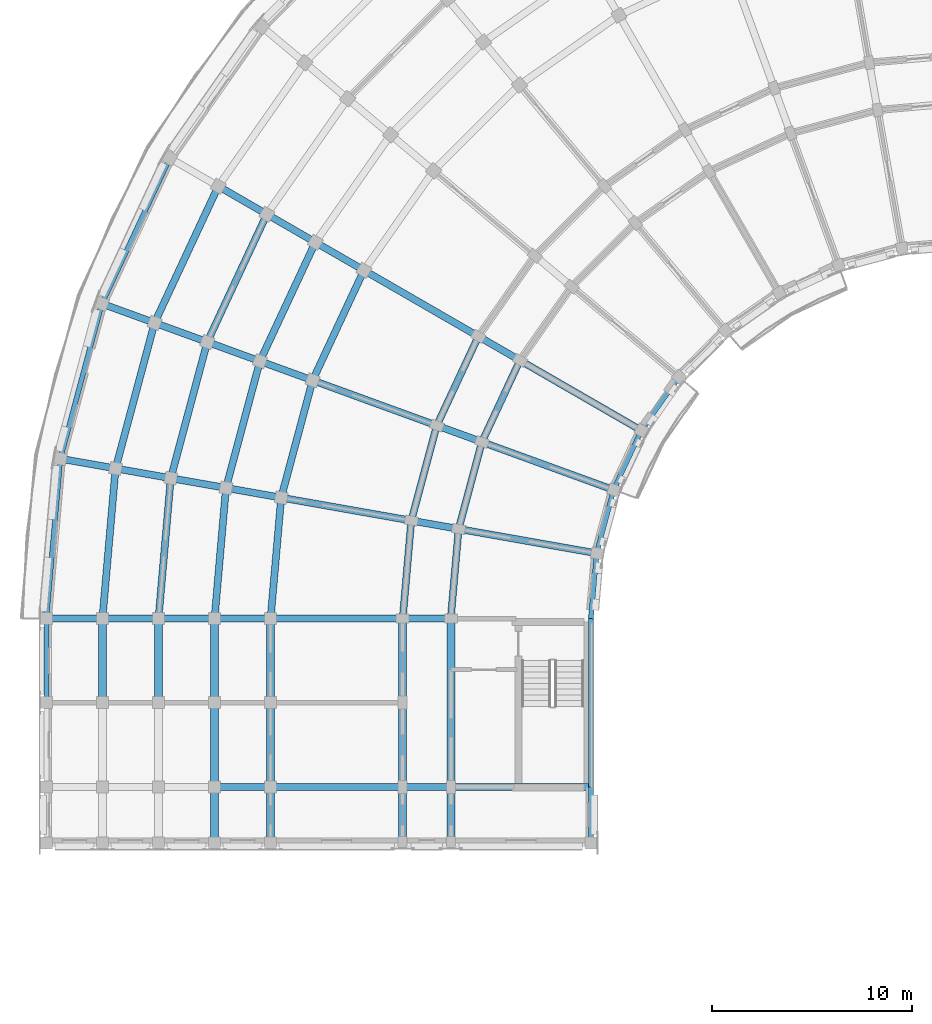
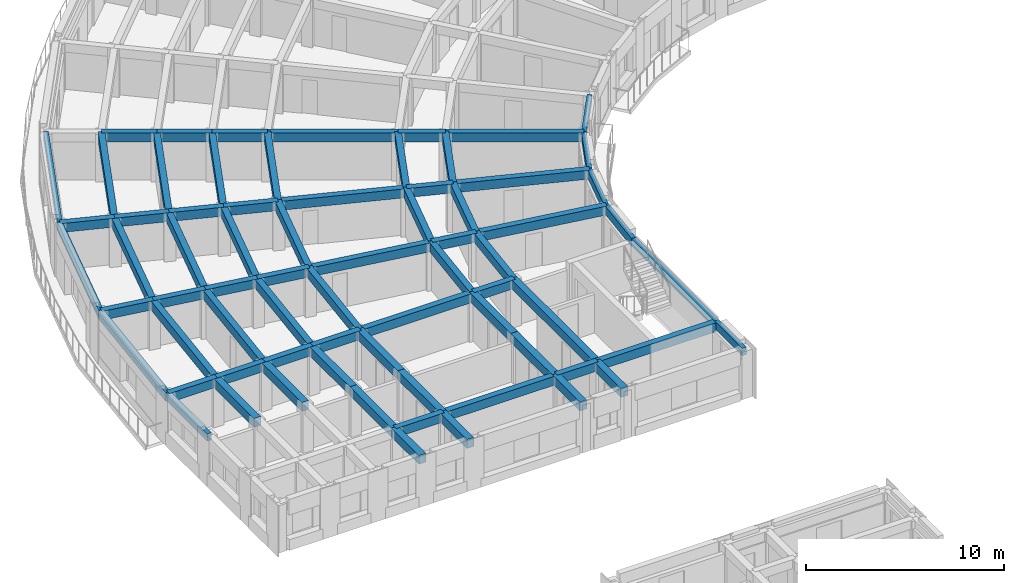
# One storey, part 5 of 53: 71 beams.
"""IFC4 building model written with IfcOpenShell, lengths in metres."""

from ifc_helpers import new_model, si_unit, direction, frame, origin, origin_2d, place, context, subcontext, project, spatial, rectangle, extrude, material, material_profile, profile_set, type_object, element, save


model = new_model("IFC4")

# Units and contexts
model_context = context("Model", 3, precision=1e-05, world=origin(), true_north=direction((0.0, 1.0)))
body_context = subcontext(model_context, "Body", "Model", "MODEL_VIEW")
ifc_project = project(units=[si_unit("LENGTHUNIT", "METRE"), si_unit("AREAUNIT", "SQUARE_METRE"), si_unit("VOLUMEUNIT", "CUBIC_METRE"), si_unit("PLANEANGLEUNIT", "RADIAN"), si_unit("MASSUNIT", "GRAM", prefix="KILO")], contexts=[model_context])

# Site, building, storey
site_placement = place(None, origin())
site = spatial("IfcSite", under=ifc_project, at=site_placement, CompositionType="ELEMENT")
building_placement = place(site_placement, origin())
building = spatial("IfcBuilding", under=site, at=building_placement, Name="Kiranvali Square Residences", CompositionType="ELEMENT")
storey_placement = place(building_placement, frame((0.0, 0.0, 30.75)))
storey = spatial("IfcBuildingStorey", under=building, at=storey_placement, Name="L09", CompositionType="ELEMENT", Elevation=30.75)

# Beams
ifc_material_1 = material(Name="Concrete M40 (40 MPa)", Category="concrete")
ifc_material_profile_1 = material_profile(ifc_material_1, rectangle(XDim=0.35009765625, YDim=0.550048828125, at=origin_2d()), Name="RC 350x550")
ifc_profile_set_1 = profile_set([ifc_material_profile_1], Name="Concrete M40 (40 MPa)")
beam_type_1 = type_object("IfcBeamType", Name="BM-M40-350x550", PredefinedType="BEAM", material=ifc_profile_set_1)
beam_1_placement = place(storey_placement, frame((25.8564453125, 100.699951171875, 2.655029296875), z_axis=(-0.422617978463, -0.906307919131, 0.0), x_axis=(0.906307919131, -0.422617978463, 0.0)))
element("IfcBeam", 1, at=beam_1_placement, inside=storey, type_object=beam_type_1, Name="L09 beam BM-A-L09-C06-R1", PredefinedType="BEAM", context=body_context, shape_type="SweptSolid", body=[
    extrude(rectangle(XDim=0.35009765625, YDim=0.550048828125, at=origin_2d()), origin(), (0.0, 0.0, 1.0), 4.497314453125),
])
beam_2_placement = place(storey_placement, frame((23.778076171875, 101.89990234375, 2.655029296875), z_axis=(-0.422629854778, -0.906302381024, 0.0), x_axis=(0.906302381024, -0.422629854778, 0.0)))
element("IfcBeam", 2, at=beam_2_placement, inside=storey, type_object=beam_type_1, Name="L09 beam BM-A-L09-C06-R2", PredefinedType="BEAM", context=body_context, shape_type="SweptSolid", body=[
    extrude(rectangle(XDim=0.35009765625, YDim=0.550048828125, at=origin_2d()), origin(), (0.0, 0.0, 1.0), 4.915283203125),
])
beam_3_placement = place(storey_placement, frame((18.062255859375, 105.199951171875, 2.655029296875), z_axis=(-0.42260781991, -0.906312656069, 0.0), x_axis=(0.906312656069, -0.42260781991, 0.0)))
element("IfcBeam", 3, at=beam_3_placement, inside=storey, type_object=beam_type_1, Name="L09 beam BM-A-L09-C06-R3", PredefinedType="BEAM", context=body_context, shape_type="SweptSolid", body=[
    extrude(rectangle(XDim=0.35009765625, YDim=0.550048828125, at=origin_2d()), origin(), (0.0, 0.0, 1.0), 6.06591796875),
])
beam_4_placement = place(storey_placement, frame((15.637451171875, 106.60009765625, 2.655029296875), z_axis=(-0.422595876255, -0.906318225223, 0.0), x_axis=(0.906318225223, -0.422595876255, 0.0)))
element("IfcBeam", 4, at=beam_4_placement, inside=storey, type_object=beam_type_1, Name="L09 beam BM-A-L09-C06-R4", PredefinedType="BEAM", context=body_context, shape_type="SweptSolid", body=[
    extrude(rectangle(XDim=0.35009765625, YDim=0.550048828125, at=origin_2d()), origin(), (0.0, 0.0, 1.0), 6.55419921875),
])
beam_5_placement = place(storey_placement, frame((13.212646484375, 108.0, 2.655029296875), z_axis=(-0.422640621205, -0.906297360311, 0.0), x_axis=(0.906297360311, -0.422640621205, 0.0)))
element("IfcBeam", 5, at=beam_5_placement, inside=storey, type_object=beam_type_1, Name="L09 beam BM-A-L09-C06-R5", PredefinedType="BEAM", context=body_context, shape_type="SweptSolid", body=[
    extrude(rectangle(XDim=0.35009765625, YDim=0.550048828125, at=origin_2d()), origin(), (0.0, 0.0, 1.0), 7.042236328125),
])
beam_6_placement = place(storey_placement, frame((10.78759765625, 109.39990234375, 2.655029296875), z_axis=(-0.422613886933, -0.90630982703, 0.0), x_axis=(0.90630982703, -0.422613886933, 0.0)))
element("IfcBeam", 6, at=beam_6_placement, inside=storey, type_object=beam_type_1, Name="L09 beam BM-A-L09-C06-R6", PredefinedType="BEAM", context=body_context, shape_type="SweptSolid", body=[
    extrude(rectangle(XDim=0.35009765625, YDim=0.550048828125, at=origin_2d()), origin(), (0.0, 0.0, 1.0), 7.5302734375),
])
beam_7_placement = place(storey_placement, frame((23.955810546875, 96.6240234375, 2.655029296875), z_axis=(-0.258787642463, -0.965934240054, 0.0), x_axis=(0.965934240054, -0.258787642463, 0.0)))
element("IfcBeam", 7, at=beam_7_placement, inside=storey, type_object=beam_type_1, Name="L09 beam BM-A-L09-C07-R1", PredefinedType="BEAM", context=body_context, shape_type="SweptSolid", body=[
    extrude(rectangle(XDim=0.35009765625, YDim=0.550048828125, at=origin_2d()), origin(), (0.0, 0.0, 1.0), 4.497314453125),
])
beam_8_placement = place(storey_placement, frame((21.70068359375, 97.445068359375, 2.655029296875), z_axis=(-0.258803112091, -0.965930095386, 0.0), x_axis=(0.965930095386, -0.258803112091, 0.0)))
element("IfcBeam", 8, at=beam_8_placement, inside=storey, type_object=beam_type_1, Name="L09 beam BM-A-L09-C07-R2", PredefinedType="BEAM", context=body_context, shape_type="SweptSolid", body=[
    extrude(rectangle(XDim=0.35009765625, YDim=0.550048828125, at=origin_2d()), origin(), (0.0, 0.0, 1.0), 4.915771484375),
])
beam_9_placement = place(storey_placement, frame((15.498779296875, 99.702392578125, 2.655029296875), z_axis=(-0.258827283048, -0.965923618901, 0.0), x_axis=(0.965923618901, -0.258827283048, 0.0)))
element("IfcBeam", 9, at=beam_9_placement, inside=storey, type_object=beam_type_1, Name="L09 beam BM-A-L09-C07-R3", PredefinedType="BEAM", context=body_context, shape_type="SweptSolid", body=[
    extrude(rectangle(XDim=0.35009765625, YDim=0.550048828125, at=origin_2d()), origin(), (0.0, 0.0, 1.0), 6.066162109375),
])
beam_10_placement = place(storey_placement, frame((12.86767578125, 100.659912109375, 2.655029296875), z_axis=(-0.258847178297, -0.965918287583, 0.0), x_axis=(0.965918287583, -0.258847178297, 0.0)))
element("IfcBeam", 10, at=beam_10_placement, inside=storey, type_object=beam_type_1, Name="L09 beam BM-A-L09-C07-R4", PredefinedType="BEAM", context=body_context, shape_type="SweptSolid", body=[
    extrude(rectangle(XDim=0.35009765625, YDim=0.550048828125, at=origin_2d()), origin(), (0.0, 0.0, 1.0), 6.55419921875),
])
beam_11_placement = place(storey_placement, frame((10.236328125, 101.61767578125, 2.655029296875), z_axis=(-0.258799624492, -0.965931029817, 0.0), x_axis=(0.965931029817, -0.258799624492, 0.0)))
element("IfcBeam", 11, at=beam_11_placement, inside=storey, type_object=beam_type_1, Name="L09 beam BM-A-L09-C07-R5", PredefinedType="BEAM", context=body_context, shape_type="SweptSolid", body=[
    extrude(rectangle(XDim=0.35009765625, YDim=0.550048828125, at=origin_2d()), origin(), (0.0, 0.0, 1.0), 7.042236328125),
])
beam_12_placement = place(storey_placement, frame((7.605224609375, 102.5751953125, 2.655029296875), z_axis=(-0.258818733833, -0.965925909693, 0.0), x_axis=(0.965925909693, -0.258818733833, 0.0)))
element("IfcBeam", 12, at=beam_12_placement, inside=storey, type_object=beam_type_1, Name="L09 beam BM-A-L09-C07-R6", PredefinedType="BEAM", context=body_context, shape_type="SweptSolid", body=[
    extrude(rectangle(XDim=0.35009765625, YDim=0.550048828125, at=origin_2d()), origin(), (0.0, 0.0, 1.0), 7.5302734375),
])
beam_13_placement = place(storey_placement, frame((22.7919921875, 92.280029296875, 2.655029296875), z_axis=(-0.087187153726, -0.996191949488, 0.0), x_axis=(0.996191949488, -0.087187153726, 0.0)))
element("IfcBeam", 13, at=beam_13_placement, inside=storey, type_object=beam_type_1, Name="L09 beam BM-A-L09-C08-R1", PredefinedType="BEAM", context=body_context, shape_type="SweptSolid", body=[
    extrude(rectangle(XDim=0.35009765625, YDim=0.550048828125, at=origin_2d()), origin(), (0.0, 0.0, 1.0), 4.4970703125),
])
beam_14_placement = place(storey_placement, frame((20.428466796875, 92.69677734375, 2.655029296875), z_axis=(-0.087167566415, -0.996193663584, 0.0), x_axis=(0.996193663584, -0.087167566415, 0.0)))
element("IfcBeam", 14, at=beam_14_placement, inside=storey, type_object=beam_type_1, Name="L09 beam BM-A-L09-C08-R2", PredefinedType="BEAM", context=body_context, shape_type="SweptSolid", body=[
    extrude(rectangle(XDim=0.35009765625, YDim=0.550048828125, at=origin_2d()), origin(), (0.0, 0.0, 1.0), 4.91552734375),
])
beam_15_placement = place(storey_placement, frame((13.9287109375, 93.843017578125, 2.655029296875), z_axis=(-0.087174938512, -0.996193018494, 0.0), x_axis=(0.996193018494, -0.087174938512, 0.0)))
element("IfcBeam", 15, at=beam_15_placement, inside=storey, type_object=beam_type_1, Name="L09 beam BM-A-L09-C08-R3", PredefinedType="BEAM", context=body_context, shape_type="SweptSolid", body=[
    extrude(rectangle(XDim=0.35009765625, YDim=0.550048828125, at=origin_2d()), origin(), (0.0, 0.0, 1.0), 6.066162109375),
])
beam_16_placement = place(storey_placement, frame((11.171142578125, 94.3291015625, 2.655029296875), z_axis=(-0.0871295204, -0.996196991902, 0.0), x_axis=(0.996196991902, -0.0871295204, 0.0)))
element("IfcBeam", 16, at=beam_16_placement, inside=storey, type_object=beam_type_1, Name="L09 beam BM-A-L09-C08-R4", PredefinedType="BEAM", context=body_context, shape_type="SweptSolid", body=[
    extrude(rectangle(XDim=0.35009765625, YDim=0.550048828125, at=origin_2d()), origin(), (0.0, 0.0, 1.0), 6.553955078125),
])
beam_17_placement = place(storey_placement, frame((8.413818359375, 94.8154296875, 2.655029296875), z_axis=(-0.087156198737, -0.996194658198, 0.0), x_axis=(0.996194658198, -0.087156198737, 0.0)))
element("IfcBeam", 17, at=beam_17_placement, inside=storey, type_object=beam_type_1, Name="L09 beam BM-A-L09-C08-R5", PredefinedType="BEAM", context=body_context, shape_type="SweptSolid", body=[
    extrude(rectangle(XDim=0.35009765625, YDim=0.550048828125, at=origin_2d()), origin(), (0.0, 0.0, 1.0), 7.042236328125),
])
beam_18_placement = place(storey_placement, frame((5.65625, 95.301513671875, 2.655029296875), z_axis=(-0.087150058103, -0.996195195417, 0.0), x_axis=(0.996195195417, -0.087150058103, 0.0)))
element("IfcBeam", 18, at=beam_18_placement, inside=storey, type_object=beam_type_1, Name="L09 beam BM-A-L09-C08-R6", PredefinedType="BEAM", context=body_context, shape_type="SweptSolid", body=[
    extrude(rectangle(XDim=0.35009765625, YDim=0.550048828125, at=origin_2d()), origin(), (0.0, 0.0, 1.0), 7.530029296875),
])
beam_19_placement = place(storey_placement, frame((31.918701171875, 97.199951171875, 2.655029296875), z_axis=(-0.866028190633, 0.499995173006, 0.0), x_axis=(-0.499995173006, -0.866028190633, 0.0)))
element("IfcBeam", 19, at=beam_19_placement, inside=storey, type_object=beam_type_1, Name="L09 beam BM-A-L09-RAD06-01", PredefinedType="BEAM", context=body_context, shape_type="SweptSolid", body=[
    extrude(rectangle(XDim=0.35009765625, YDim=0.550048828125, at=origin_2d()), origin(), (0.0, 0.0, 1.0), 7.0),
])
beam_20_placement = place(storey_placement, frame((25.8564453125, 100.699951171875, 2.655029296875), z_axis=(-0.866024647952, 0.500001309137, 0.0), x_axis=(-0.500001309137, -0.866024647952, 0.0)))
element("IfcBeam", 20, at=beam_20_placement, inside=storey, type_object=beam_type_1, Name="L09 beam BM-A-L09-RAD06-12", PredefinedType="BEAM", context=body_context, shape_type="SweptSolid", body=[
    extrude(rectangle(XDim=0.35009765625, YDim=0.550048828125, at=origin_2d()), origin(), (0.0, 0.0, 1.0), 2.39990234375),
])
beam_21_placement = place(storey_placement, frame((23.778076171875, 101.89990234375, 2.655029296875), z_axis=(-0.866024194504, 0.500002094529, 0.0), x_axis=(-0.500002094529, -0.866024194504, 0.0)))
element("IfcBeam", 21, at=beam_21_placement, inside=storey, type_object=beam_type_1, Name="L09 beam BM-A-L09-RAD06-23", PredefinedType="BEAM", context=body_context, shape_type="SweptSolid", body=[
    extrude(rectangle(XDim=0.35009765625, YDim=0.550048828125, at=origin_2d()), origin(), (0.0, 0.0, 1.0), 6.60009765625),
])
beam_22_placement = place(storey_placement, frame((18.062255859375, 105.199951171875, 2.655029296875), z_axis=(-0.865996816683, 0.500049511043, 0.0), x_axis=(-0.500049511043, -0.865996816683, 0.0)))
element("IfcBeam", 22, at=beam_22_placement, inside=storey, type_object=beam_type_1, Name="L09 beam BM-A-L09-RAD06-34", PredefinedType="BEAM", context=body_context, shape_type="SweptSolid", body=[
    extrude(rectangle(XDim=0.35009765625, YDim=0.550048828125, at=origin_2d()), origin(), (0.0, 0.0, 1.0), 2.800048828125),
])
beam_23_placement = place(storey_placement, frame((15.637451171875, 106.60009765625, 2.655029296875), z_axis=(-0.866034573852, 0.49998411664, 0.0), x_axis=(-0.49998411664, -0.866034573852, 0.0)))
element("IfcBeam", 23, at=beam_23_placement, inside=storey, type_object=beam_type_1, Name="L09 beam BM-A-L09-RAD06-45", PredefinedType="BEAM", context=body_context, shape_type="SweptSolid", body=[
    extrude(rectangle(XDim=0.35009765625, YDim=0.550048828125, at=origin_2d()), origin(), (0.0, 0.0, 1.0), 2.7998046875),
])
beam_24_placement = place(storey_placement, frame((13.212646484375, 108.0, 2.655029296875), z_axis=(-0.866056369097, 0.49994636267, 0.0), x_axis=(-0.49994636267, -0.866056369097, 0.0)))
element("IfcBeam", 24, at=beam_24_placement, inside=storey, type_object=beam_type_1, Name="L09 beam BM-A-L09-RAD06-56", PredefinedType="BEAM", context=body_context, shape_type="SweptSolid", body=[
    extrude(rectangle(XDim=0.35009765625, YDim=0.550048828125, at=origin_2d()), origin(), (0.0, 0.0, 1.0), 2.800048828125),
])
beam_25_placement = place(storey_placement, frame((30.53369140625, 94.22998046875, 2.655029296875), z_axis=(-0.939697665127, 0.342006283793, 0.0), x_axis=(-0.342006283793, -0.939697665127, 0.0)))
element("IfcBeam", 25, at=beam_25_placement, inside=storey, type_object=beam_type_1, Name="L09 beam BM-A-L09-RAD07-01", PredefinedType="BEAM", context=body_context, shape_type="SweptSolid", body=[
    extrude(rectangle(XDim=0.35009765625, YDim=0.550048828125, at=origin_2d()), origin(), (0.0, 0.0, 1.0), 7.0),
])
beam_26_placement = place(storey_placement, frame((23.955810546875, 96.6240234375, 2.655029296875), z_axis=(-0.939659694648, 0.342110593602, 0.0), x_axis=(-0.342110593602, -0.939659694648, 0.0)))
element("IfcBeam", 26, at=beam_26_placement, inside=storey, type_object=beam_type_1, Name="L09 beam BM-A-L09-RAD07-12", PredefinedType="BEAM", context=body_context, shape_type="SweptSolid", body=[
    extrude(rectangle(XDim=0.35009765625, YDim=0.550048828125, at=origin_2d()), origin(), (0.0, 0.0, 1.0), 2.39990234375),
])
beam_27_placement = place(storey_placement, frame((21.70068359375, 97.445068359375, 2.655029296875), z_axis=(-0.939691858249, 0.342022238372, 0.0), x_axis=(-0.342022238372, -0.939691858249, 0.0)))
element("IfcBeam", 27, at=beam_27_placement, inside=storey, type_object=beam_type_1, Name="L09 beam BM-A-L09-RAD07-23", PredefinedType="BEAM", context=body_context, shape_type="SweptSolid", body=[
    extrude(rectangle(XDim=0.35009765625, YDim=0.550048828125, at=origin_2d()), origin(), (0.0, 0.0, 1.0), 6.599853515625),
])
beam_28_placement = place(storey_placement, frame((15.498779296875, 99.702392578125, 2.655029296875), z_axis=(-0.93970683422, 0.341981089711, 0.0), x_axis=(-0.341981089711, -0.93970683422, 0.0)))
element("IfcBeam", 28, at=beam_28_placement, inside=storey, type_object=beam_type_1, Name="L09 beam BM-A-L09-RAD07-34", PredefinedType="BEAM", context=body_context, shape_type="SweptSolid", body=[
    extrude(rectangle(XDim=0.35009765625, YDim=0.550048828125, at=origin_2d()), origin(), (0.0, 0.0, 1.0), 2.7998046875),
])
beam_29_placement = place(storey_placement, frame((12.86767578125, 100.659912109375, 2.655029296875), z_axis=(-0.939689011208, 0.342030060398, 0.0), x_axis=(-0.342030060398, -0.939689011208, 0.0)))
element("IfcBeam", 29, at=beam_29_placement, inside=storey, type_object=beam_type_1, Name="L09 beam BM-A-L09-RAD07-45", PredefinedType="BEAM", context=body_context, shape_type="SweptSolid", body=[
    extrude(rectangle(XDim=0.35009765625, YDim=0.550048828125, at=origin_2d()), origin(), (0.0, 0.0, 1.0), 2.80029296875),
])
beam_30_placement = place(storey_placement, frame((10.236328125, 101.61767578125, 2.655029296875), z_axis=(-0.93970683422, 0.341981089711, 0.0), x_axis=(-0.341981089711, -0.93970683422, 0.0)))
element("IfcBeam", 30, at=beam_30_placement, inside=storey, type_object=beam_type_1, Name="L09 beam BM-A-L09-RAD07-56", PredefinedType="BEAM", context=body_context, shape_type="SweptSolid", body=[
    extrude(rectangle(XDim=0.35009765625, YDim=0.550048828125, at=origin_2d()), origin(), (0.0, 0.0, 1.0), 2.7998046875),
])
beam_31_placement = place(storey_placement, frame((7.605224609375, 102.5751953125, 2.655029296875), z_axis=(-0.939678810556, 0.342058084236, 0.0), x_axis=(-0.342058084236, -0.939678810556, 0.0)))
element("IfcBeam", 31, at=beam_31_placement, inside=storey, type_object=beam_type_1, Name="L09 beam BM-A-L09-RAD07-67", PredefinedType="BEAM", context=body_context, shape_type="SweptSolid", body=[
    extrude(rectangle(XDim=0.35009765625, YDim=0.550048828125, at=origin_2d()), origin(), (0.0, 0.0, 1.0), 2.800048828125),
])
beam_32_placement = place(storey_placement, frame((29.685546875, 91.064697265625, 2.655029296875), z_axis=(-0.984812337125, 0.173622177865, 0.0), x_axis=(-0.173622177865, -0.984812337125, 0.0)))
element("IfcBeam", 32, at=beam_32_placement, inside=storey, type_object=beam_type_1, Name="L09 beam BM-A-L09-RAD08-01", PredefinedType="BEAM", context=body_context, shape_type="SweptSolid", body=[
    extrude(rectangle(XDim=0.35009765625, YDim=0.550048828125, at=origin_2d()), origin(), (0.0, 0.0, 1.0), 6.999755859375),
])
beam_33_placement = place(storey_placement, frame((22.7919921875, 92.280029296875, 2.655029296875), z_axis=(-0.984808127031, 0.173646056486, 0.0), x_axis=(-0.173646056486, -0.984808127031, 0.0)))
element("IfcBeam", 33, at=beam_33_placement, inside=storey, type_object=beam_type_1, Name="L09 beam BM-A-L09-RAD08-12", PredefinedType="BEAM", context=body_context, shape_type="SweptSolid", body=[
    extrude(rectangle(XDim=0.35009765625, YDim=0.550048828125, at=origin_2d()), origin(), (0.0, 0.0, 1.0), 2.39990234375),
])
beam_34_placement = place(storey_placement, frame((20.428466796875, 92.69677734375, 2.655029296875), z_axis=(-0.984803661269, 0.173671381499, 0.0), x_axis=(-0.173671381499, -0.984803661269, 0.0)))
element("IfcBeam", 34, at=beam_34_placement, inside=storey, type_object=beam_type_1, Name="L09 beam BM-A-L09-RAD08-23", PredefinedType="BEAM", context=body_context, shape_type="SweptSolid", body=[
    extrude(rectangle(XDim=0.35009765625, YDim=0.550048828125, at=origin_2d()), origin(), (0.0, 0.0, 1.0), 6.60009765625),
])
beam_35_placement = place(storey_placement, frame((13.9287109375, 93.843017578125, 2.655029296875), z_axis=(-0.984816895441, 0.173596320392, 0.0), x_axis=(-0.173596320392, -0.984816895441, 0.0)))
element("IfcBeam", 35, at=beam_35_placement, inside=storey, type_object=beam_type_1, Name="L09 beam BM-A-L09-RAD08-34", PredefinedType="BEAM", context=body_context, shape_type="SweptSolid", body=[
    extrude(rectangle(XDim=0.35009765625, YDim=0.550048828125, at=origin_2d()), origin(), (0.0, 0.0, 1.0), 2.800048828125),
])
beam_36_placement = place(storey_placement, frame((11.171142578125, 94.3291015625, 2.655029296875), z_axis=(-0.984799355489, 0.173695795656, 0.0), x_axis=(-0.173695795656, -0.984799355489, 0.0)))
element("IfcBeam", 36, at=beam_36_placement, inside=storey, type_object=beam_type_1, Name="L09 beam BM-A-L09-RAD08-45", PredefinedType="BEAM", context=body_context, shape_type="SweptSolid", body=[
    extrude(rectangle(XDim=0.35009765625, YDim=0.550048828125, at=origin_2d()), origin(), (0.0, 0.0, 1.0), 2.7998046875),
])
beam_37_placement = place(storey_placement, frame((8.413818359375, 94.8154296875, 2.655029296875), z_axis=(-0.984816895441, 0.173596320392, 0.0), x_axis=(-0.173596320392, -0.984816895441, 0.0)))
element("IfcBeam", 37, at=beam_37_placement, inside=storey, type_object=beam_type_1, Name="L09 beam BM-A-L09-RAD08-56", PredefinedType="BEAM", context=body_context, shape_type="SweptSolid", body=[
    extrude(rectangle(XDim=0.35009765625, YDim=0.550048828125, at=origin_2d()), origin(), (0.0, 0.0, 1.0), 2.800048828125),
])
beam_38_placement = place(storey_placement, frame((5.65625, 95.301513671875, 2.655029296875), z_axis=(-0.984799355489, 0.173695795656, 0.0), x_axis=(-0.173695795656, -0.984799355489, 0.0)))
element("IfcBeam", 38, at=beam_38_placement, inside=storey, type_object=beam_type_1, Name="L09 beam BM-A-L09-RAD08-67", PredefinedType="BEAM", context=body_context, shape_type="SweptSolid", body=[
    extrude(rectangle(XDim=0.35009765625, YDim=0.550048828125, at=origin_2d()), origin(), (0.0, 0.0, 1.0), 2.7998046875),
])
beam_39_placement = place(storey_placement, frame((22.39990234375, 87.800048828125, 2.655029296875), z_axis=(-1.0, 0.0, 0.0), x_axis=(0.0, -1.0, 0.0)))
element("IfcBeam", 39, at=beam_39_placement, inside=storey, type_object=beam_type_1, Name="L09 beam BM-A-L09-A2T0-12", PredefinedType="BEAM", context=body_context, shape_type="SweptSolid", body=[
    extrude(rectangle(XDim=0.35009765625, YDim=0.550048828125, at=origin_2d()), origin(), (0.0, 0.0, 1.0), 2.39990234375),
])
beam_40_placement = place(storey_placement, frame((20.0, 87.800048828125, 2.655029296875), z_axis=(-1.0, 0.0, 0.0), x_axis=(0.0, -1.0, 0.0)))
element("IfcBeam", 40, at=beam_40_placement, inside=storey, type_object=beam_type_1, Name="L09 beam BM-A-L09-A2T0-23", PredefinedType="BEAM", context=body_context, shape_type="SweptSolid", body=[
    extrude(rectangle(XDim=0.35009765625, YDim=0.550048828125, at=origin_2d()), origin(), (0.0, 0.0, 1.0), 6.60009765625),
])
beam_41_placement = place(storey_placement, frame((13.39990234375, 87.800048828125, 2.655029296875), z_axis=(-1.0, 0.0, 0.0), x_axis=(0.0, -1.0, 0.0)))
element("IfcBeam", 41, at=beam_41_placement, inside=storey, type_object=beam_type_1, Name="L09 beam BM-A-L09-A2T0-34", PredefinedType="BEAM", context=body_context, shape_type="SweptSolid", body=[
    extrude(rectangle(XDim=0.35009765625, YDim=0.550048828125, at=origin_2d()), origin(), (0.0, 0.0, 1.0), 2.7998046875),
])
for number, where, z_axis, x_axis, name in (
    (42, (10.60009765625, 87.800048828125, 2.655029296875), (-1.0, 0.0, 0.0), (0.0, -1.0, 0.0), "L09 beam BM-A-L09-A2T0-45"),
    (43, (7.800048828125, 87.800048828125, 2.655029296875), (-1.0, 0.0, 0.0), (0.0, -1.0, 0.0), "L09 beam BM-A-L09-A2T0-56"),
    (44, (5.0, 87.800048828125, 2.655029296875), (-1.0, 0.0, 0.0), (0.0, -1.0, 0.0), "L09 beam BM-A-L09-A2T0-67"),
):
    element("IfcBeam", number, at=place(storey_placement, frame(where, z_axis=z_axis, x_axis=x_axis)), inside=storey, type_object=beam_type_1, Name=name, PredefinedType="BEAM", context=body_context, shape_type="SweptSolid", body=[
        extrude(rectangle(XDim=0.35009765625, YDim=0.550048828125, at=origin_2d()), origin(), (0.0, 0.0, 1.0), 2.800048828125),
    ])
beam_42_placement = place(storey_placement, frame((29.39990234375, 79.39990234375, 2.655029296875), z_axis=(-1.0, 0.0, 0.0), x_axis=(0.0, -1.0, 0.0)))
element("IfcBeam", 45, at=beam_42_placement, inside=storey, type_object=beam_type_1, Name="L09 beam BM-A-L09-A2T1-01", PredefinedType="BEAM", context=body_context, shape_type="SweptSolid", body=[
    extrude(rectangle(XDim=0.35009765625, YDim=0.550048828125, at=origin_2d()), origin(), (0.0, 0.0, 1.0), 7.0),
])
beam_43_placement = place(storey_placement, frame((22.39990234375, 79.39990234375, 2.655029296875), z_axis=(-1.0, 0.0, 0.0), x_axis=(0.0, -1.0, 0.0)))
element("IfcBeam", 46, at=beam_43_placement, inside=storey, type_object=beam_type_1, Name="L09 beam BM-A-L09-A2T1-12", PredefinedType="BEAM", context=body_context, shape_type="SweptSolid", body=[
    extrude(rectangle(XDim=0.35009765625, YDim=0.550048828125, at=origin_2d()), origin(), (0.0, 0.0, 1.0), 2.39990234375),
])
beam_44_placement = place(storey_placement, frame((20.0, 79.39990234375, 2.655029296875), z_axis=(-1.0, 0.0, 0.0), x_axis=(0.0, -1.0, 0.0)))
element("IfcBeam", 47, at=beam_44_placement, inside=storey, type_object=beam_type_1, Name="L09 beam BM-A-L09-A2T1-23", PredefinedType="BEAM", context=body_context, shape_type="SweptSolid", body=[
    extrude(rectangle(XDim=0.35009765625, YDim=0.550048828125, at=origin_2d()), origin(), (0.0, 0.0, 1.0), 6.60009765625),
])
beam_45_placement = place(storey_placement, frame((13.39990234375, 79.39990234375, 2.655029296875), z_axis=(-1.0, 0.0, 0.0), x_axis=(0.0, -1.0, 0.0)))
element("IfcBeam", 48, at=beam_45_placement, inside=storey, type_object=beam_type_1, Name="L09 beam BM-A-L09-A2T1-34", PredefinedType="BEAM", context=body_context, shape_type="SweptSolid", body=[
    extrude(rectangle(XDim=0.35009765625, YDim=0.550048828125, at=origin_2d()), origin(), (0.0, 0.0, 1.0), 2.7998046875),
])
ifc_material_2 = material(Name="Concrete M45 (45 MPa)", Category="concrete")
ifc_material_profile_2 = material_profile(ifc_material_2, rectangle(XDim=0.39990234375, YDim=0.550048828125, at=origin_2d()), Name="RC 400x550")
ifc_profile_set_2 = profile_set([ifc_material_profile_2], Name="Concrete M45 (45 MPa)")
beam_type_2 = type_object("IfcBeamType", Name="BM-M45-400x550", PredefinedType="BEAM", material=ifc_profile_set_2)
beam_46_placement = place(storey_placement, frame((22.39990234375, 87.800048828125, 2.655029296875), z_axis=(0.0, -1.0, 0.0), x_axis=(1.0, 0.0, 0.0)))
element("IfcBeam", 49, at=beam_46_placement, inside=storey, type_object=beam_type_2, Name="L09 beam BM-A-L09-A2V0-R1", PredefinedType="BEAM", context=body_context, shape_type="SweptSolid", body=[
    extrude(rectangle(XDim=0.39990234375, YDim=0.550048828125, at=origin_2d()), origin(), (0.0, 0.0, 1.0), 8.400146484375),
])
beam_47_placement = place(storey_placement, frame((22.39990234375, 79.39990234375, 2.655029296875), z_axis=(0.0, -1.0, 0.0), x_axis=(1.0, 0.0, 0.0)))
element("IfcBeam", 50, at=beam_47_placement, inside=storey, type_object=beam_type_2, Name="L09 beam BM-A-L09-A2V1-R1", PredefinedType="BEAM", context=body_context, shape_type="SweptSolid", body=[
    extrude(rectangle(XDim=0.39990234375, YDim=0.550048828125, at=origin_2d()), origin(), (0.0, 0.0, 1.0), 2.7998046875),
])
beam_48_placement = place(storey_placement, frame((20.0, 87.800048828125, 2.655029296875), z_axis=(0.0, -1.0, 0.0), x_axis=(1.0, 0.0, 0.0)))
element("IfcBeam", 51, at=beam_48_placement, inside=storey, type_object=beam_type_2, Name="L09 beam BM-A-L09-A2V0-R2", PredefinedType="BEAM", context=body_context, shape_type="SweptSolid", body=[
    extrude(rectangle(XDim=0.39990234375, YDim=0.550048828125, at=origin_2d()), origin(), (0.0, 0.0, 1.0), 4.199951171875),
])
beam_49_placement = place(storey_placement, frame((20.0, 83.60009765625, 2.655029296875), z_axis=(0.0, -1.0, 0.0), x_axis=(1.0, 0.0, 0.0)))
element("IfcBeam", 52, at=beam_49_placement, inside=storey, type_object=beam_type_2, Name="L09 beam BM-A-L09-A2V1-R2", PredefinedType="BEAM", context=body_context, shape_type="SweptSolid", body=[
    extrude(rectangle(XDim=0.39990234375, YDim=0.550048828125, at=origin_2d()), origin(), (0.0, 0.0, 1.0), 4.2001953125),
])
beam_50_placement = place(storey_placement, frame((20.0, 79.39990234375, 2.655029296875), z_axis=(0.0, -1.0, 0.0), x_axis=(1.0, 0.0, 0.0)))
element("IfcBeam", 53, at=beam_50_placement, inside=storey, type_object=beam_type_2, Name="L09 beam BM-A-L09-A2V2-R2", PredefinedType="BEAM", context=body_context, shape_type="SweptSolid", body=[
    extrude(rectangle(XDim=0.39990234375, YDim=0.550048828125, at=origin_2d()), origin(), (0.0, 0.0, 1.0), 2.7998046875),
])
beam_51_placement = place(storey_placement, frame((13.39990234375, 87.800048828125, 2.655029296875), z_axis=(0.0, -1.0, 0.0), x_axis=(1.0, 0.0, 0.0)))
element("IfcBeam", 54, at=beam_51_placement, inside=storey, type_object=beam_type_2, Name="L09 beam BM-A-L09-A2V0-R3", PredefinedType="BEAM", context=body_context, shape_type="SweptSolid", body=[
    extrude(rectangle(XDim=0.39990234375, YDim=0.550048828125, at=origin_2d()), origin(), (0.0, 0.0, 1.0), 4.199951171875),
])
beam_52_placement = place(storey_placement, frame((13.39990234375, 83.60009765625, 2.655029296875), z_axis=(0.0, -1.0, 0.0), x_axis=(1.0, 0.0, 0.0)))
element("IfcBeam", 55, at=beam_52_placement, inside=storey, type_object=beam_type_2, Name="L09 beam BM-A-L09-A2V1-R3", PredefinedType="BEAM", context=body_context, shape_type="SweptSolid", body=[
    extrude(rectangle(XDim=0.39990234375, YDim=0.550048828125, at=origin_2d()), origin(), (0.0, 0.0, 1.0), 4.2001953125),
])
beam_53_placement = place(storey_placement, frame((13.39990234375, 79.39990234375, 2.655029296875), z_axis=(0.0, -1.0, 0.0), x_axis=(1.0, 0.0, 0.0)))
element("IfcBeam", 56, at=beam_53_placement, inside=storey, type_object=beam_type_2, Name="L09 beam BM-A-L09-A2V2-R3", PredefinedType="BEAM", context=body_context, shape_type="SweptSolid", body=[
    extrude(rectangle(XDim=0.39990234375, YDim=0.550048828125, at=origin_2d()), origin(), (0.0, 0.0, 1.0), 2.7998046875),
])
beam_54_placement = place(storey_placement, frame((10.60009765625, 87.800048828125, 2.655029296875), z_axis=(0.0, -1.0, 0.0), x_axis=(1.0, 0.0, 0.0)))
element("IfcBeam", 57, at=beam_54_placement, inside=storey, type_object=beam_type_2, Name="L09 beam BM-A-L09-A2V0-R4", PredefinedType="BEAM", context=body_context, shape_type="SweptSolid", body=[
    extrude(rectangle(XDim=0.39990234375, YDim=0.550048828125, at=origin_2d()), origin(), (0.0, 0.0, 1.0), 4.199951171875),
])
beam_55_placement = place(storey_placement, frame((10.60009765625, 83.60009765625, 2.655029296875), z_axis=(0.0, -1.0, 0.0), x_axis=(1.0, 0.0, 0.0)))
element("IfcBeam", 58, at=beam_55_placement, inside=storey, type_object=beam_type_2, Name="L09 beam BM-A-L09-A2V1-R4", PredefinedType="BEAM", context=body_context, shape_type="SweptSolid", body=[
    extrude(rectangle(XDim=0.39990234375, YDim=0.550048828125, at=origin_2d()), origin(), (0.0, 0.0, 1.0), 4.2001953125),
])
beam_56_placement = place(storey_placement, frame((10.60009765625, 79.39990234375, 2.655029296875), z_axis=(0.0, -1.0, 0.0), x_axis=(1.0, 0.0, 0.0)))
element("IfcBeam", 59, at=beam_56_placement, inside=storey, type_object=beam_type_2, Name="L09 beam BM-A-L09-A2V2-R4", PredefinedType="BEAM", context=body_context, shape_type="SweptSolid", body=[
    extrude(rectangle(XDim=0.39990234375, YDim=0.550048828125, at=origin_2d()), origin(), (0.0, 0.0, 1.0), 2.7998046875),
])
for number, where, z_axis, x_axis, name in (
    (60, (7.800048828125, 87.800048828125, 2.655029296875), (0.0, -1.0, 0.0), (1.0, 0.0, 0.0), "L09 beam BM-A-L09-A2V0-R5"),
    (61, (5.0, 87.800048828125, 2.655029296875), (0.0, -1.0, 0.0), (1.0, 0.0, 0.0), "L09 beam BM-A-L09-A2V0-R6"),
):
    element("IfcBeam", number, at=place(storey_placement, frame(where, z_axis=z_axis, x_axis=x_axis)), inside=storey, type_object=beam_type_2, Name=name, PredefinedType="BEAM", context=body_context, shape_type="SweptSolid", body=[
        extrude(rectangle(XDim=0.39990234375, YDim=0.550048828125, at=origin_2d()), origin(), (0.0, 0.0, 1.0), 4.199951171875),
    ])
ifc_material_profile_3 = material_profile(ifc_material_1, rectangle(XDim=0.25, YDim=0.449951171875, at=origin_2d()), Name="RC 250x450")
ifc_profile_set_3 = profile_set([ifc_material_profile_3], Name="Concrete M40 (40 MPa)")
beam_type_3 = type_object("IfcBeamType", Name="SPN-M40-250x450", PredefinedType="SPANDREL", material=ifc_profile_set_3)
beam_57_placement = place(storey_placement, frame((29.39990234375, 87.800048828125, 2.705078125), z_axis=(0.0, -1.0, 0.0), x_axis=(1.0, 0.0, 0.0)))
element("IfcBeam", 62, at=beam_57_placement, inside=storey, type_object=beam_type_3, Name="L09 beam BM-A-L09-A2V0-R0", PredefinedType="SPANDREL", context=body_context, shape_type="SweptSolid", body=[
    extrude(rectangle(XDim=0.25, YDim=0.449951171875, at=origin_2d()), origin(), (0.0, 0.0, 1.0), 8.400146484375),
])
beam_58_placement = place(storey_placement, frame((29.39990234375, 79.39990234375, 2.705078125), z_axis=(0.0, -1.0, 0.0), x_axis=(1.0, 0.0, 0.0)))
element("IfcBeam", 63, at=beam_58_placement, inside=storey, type_object=beam_type_3, Name="L09 beam BM-A-L09-A2V1-R0", PredefinedType="SPANDREL", context=body_context, shape_type="SweptSolid", body=[
    extrude(rectangle(XDim=0.25, YDim=0.449951171875, at=origin_2d()), origin(), (0.0, 0.0, 1.0), 2.7998046875),
])
beam_59_placement = place(storey_placement, frame((2.199951171875, 87.800048828125, 2.705078125), z_axis=(0.0, -1.0, 0.0), x_axis=(1.0, 0.0, 0.0)))
element("IfcBeam", 64, at=beam_59_placement, inside=storey, type_object=beam_type_3, Name="L09 beam BM-A-L09-A2V0-R7", PredefinedType="SPANDREL", context=body_context, shape_type="SweptSolid", body=[
    extrude(rectangle(XDim=0.25, YDim=0.449951171875, at=origin_2d()), origin(), (0.0, 0.0, 1.0), 4.199951171875),
])
ifc_material_profile_4 = material_profile(ifc_material_1, rectangle(XDim=0.25, YDim=0.5, at=origin_2d()), Name="RC 250x500")
ifc_profile_set_4 = profile_set([ifc_material_profile_4], Name="Concrete M40 (40 MPa)")
beam_type_4 = type_object("IfcBeamType", Name="SPN-M40-250x500", PredefinedType="SPANDREL", material=ifc_profile_set_4)
for number, where, z_axis, x_axis, name in (
    (65, (33.79833984375, 99.884521484375, 2.679931640625), (-0.573552337269, -0.81916891812, 0.0), (0.81916891812, -0.573552337269, 0.0), "L09 beam BM-A-L09-C05-R0"),
    (66, (31.918701171875, 97.199951171875, 2.679931640625), (-0.422640740585, -0.90629730464, 0.0), (0.90629730464, -0.422640740585, 0.0), "L09 beam BM-A-L09-C06-R0"),
):
    element("IfcBeam", number, at=place(storey_placement, frame(where, z_axis=z_axis, x_axis=x_axis)), inside=storey, type_object=beam_type_4, Name=name, PredefinedType="SPANDREL", context=body_context, shape_type="SweptSolid", body=[
        extrude(rectangle(XDim=0.25, YDim=0.5, at=origin_2d()), origin(), (0.0, 0.0, 1.0), 3.277099609375),
    ])
beam_60_placement = place(storey_placement, frame((30.53369140625, 94.22998046875, 2.679931640625), z_axis=(-0.258821736607, -0.965925105099, 0.0), x_axis=(0.965925105099, -0.258821736607, 0.0)))
element("IfcBeam", 67, at=beam_60_placement, inside=storey, type_object=beam_type_4, Name="L09 beam BM-A-L09-C07-R0", PredefinedType="SPANDREL", context=body_context, shape_type="SweptSolid", body=[
    extrude(rectangle(XDim=0.25, YDim=0.5, at=origin_2d()), origin(), (0.0, 0.0, 1.0), 3.27685546875),
])
beam_61_placement = place(storey_placement, frame((29.685546875, 91.064697265625, 2.679931640625), z_axis=(-0.087163253657, -0.996194040944, 0.0), x_axis=(0.996194040944, -0.087163253657, 0.0)))
element("IfcBeam", 68, at=beam_61_placement, inside=storey, type_object=beam_type_4, Name="L09 beam BM-A-L09-C08-R0", PredefinedType="SPANDREL", context=body_context, shape_type="SweptSolid", body=[
    extrude(rectangle(XDim=0.25, YDim=0.5, at=origin_2d()), origin(), (0.0, 0.0, 1.0), 3.277099609375),
])
ifc_material_profile_5 = material_profile(ifc_material_1, rectangle(XDim=0.25, YDim=0.550048828125, at=origin_2d()), Name="RC 250x550")
ifc_profile_set_5 = profile_set([ifc_material_profile_5], Name="Concrete M40 (40 MPa)")
beam_type_5 = type_object("IfcBeamType", Name="SPN-M40-250x550", PredefinedType="SPANDREL", material=ifc_profile_set_5)
for number, where, z_axis, x_axis, name in (
    (69, (8.36279296875, 110.800048828125, 2.655029296875), (-0.422615416827, -0.906309113636, 0.0), (0.906309113636, -0.422615416827, 0.0), "L09 beam BM-A-L09-C06-R7"),
    (70, (4.97412109375, 103.532958984375, 2.655029296875), (-0.258807108475, -0.96592902462, 0.0), (0.96592902462, -0.258807108475, 0.0), "L09 beam BM-A-L09-C07-R7"),
    (71, (2.89892578125, 95.787841796875, 2.655029296875), (-0.087172238171, -0.996193254792, 0.0), (0.996193254792, -0.087172238171, 0.0), "L09 beam BM-A-L09-C08-R7"),
):
    element("IfcBeam", number, at=place(storey_placement, frame(where, z_axis=z_axis, x_axis=x_axis)), inside=storey, type_object=beam_type_5, Name=name, PredefinedType="SPANDREL", context=body_context, shape_type="SweptSolid", body=[
        extrude(rectangle(XDim=0.25, YDim=0.550048828125, at=origin_2d()), origin(), (0.0, 0.0, 1.0), 8.018310546875),
    ])

save(model, "model.ifc")
